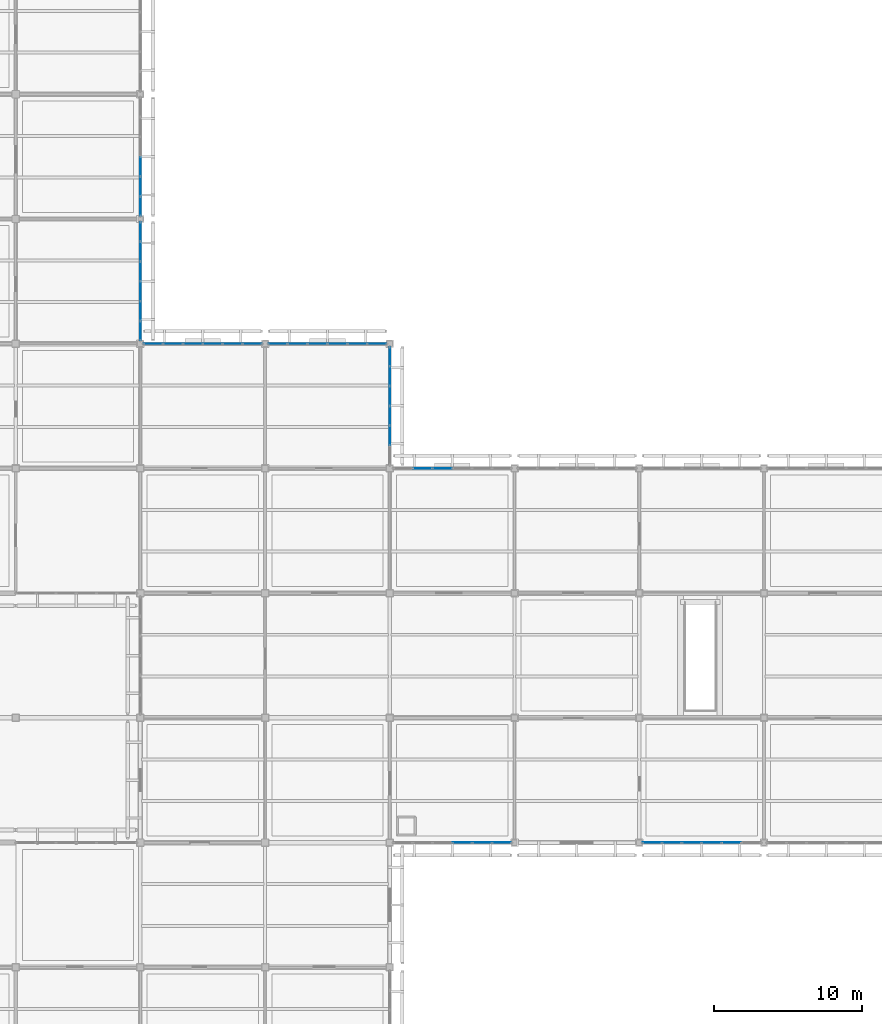
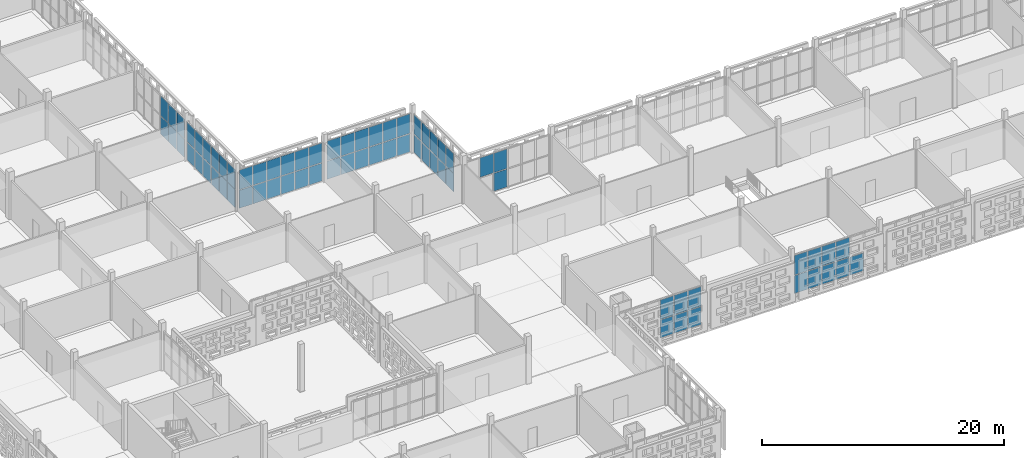
# One storey, part 90 of 203: 70 plates, 8 elements without a shape of their own.
"""IFC4 building model written with IfcOpenShell, lengths in metres."""

from ifc_helpers import new_model, si_unit, direction, frame, origin, origin_2d, place, context, subcontext, project, spatial, rectangle, extrude, material, layer, layer_set, type_object, element, aggregate, save


model = new_model("IFC4")

# Units and contexts
model_context = context("Model", 3, precision=1e-05, world=origin(), true_north=direction((0.0, 1.0)))
body_context = subcontext(model_context, "Body", "Model", "MODEL_VIEW")
ifc_project = project(units=[si_unit("LENGTHUNIT", "METRE"), si_unit("AREAUNIT", "SQUARE_METRE"), si_unit("VOLUMEUNIT", "CUBIC_METRE"), si_unit("PLANEANGLEUNIT", "RADIAN"), si_unit("MASSUNIT", "GRAM", prefix="KILO")], contexts=[model_context])

# Site, building, storey
site_placement = place(None, origin())
site = spatial("IfcSite", under=ifc_project, at=site_placement, CompositionType="ELEMENT")
building_placement = place(site_placement, origin())
building = spatial("IfcBuilding", under=site, at=building_placement, Name="Varnapada Polytechnic", CompositionType="ELEMENT")
storey_placement = place(building_placement, frame((0.0, 0.0, 4.800048828125)))
storey = spatial("IfcBuildingStorey", under=building, at=storey_placement, Name="L01", CompositionType="ELEMENT", Elevation=4.800048828125)

# Curtain wall, plates
ifc_material = material(Name="Double low-E laminated glass", Category="glass")
ifc_layer_1 = layer(ifc_material, 0.159912109375)
ifc_layer_set_1 = layer_set([ifc_layer_1], Name="Double low-E laminated glass")
curtain_wall_type_1 = type_object("IfcCurtainWallType", Name="Curtain Wall CW-01", PredefinedType="NOTDEFINED", material=ifc_layer_set_1)
curtain_wall_1_placement = place(storey_placement, origin())
curtain_wall_1 = element("IfcCurtainWall", 1, at=curtain_wall_1_placement, inside=storey, type_object=curtain_wall_type_1, Name="L01 unitised curtain wall CW-01 (37)", PredefinedType="NOTDEFINED")
ifc_layer_2 = layer(ifc_material, 0.028076171875)
ifc_layer_set_2 = layer_set([ifc_layer_2], Name="Double low-E laminated glass")
plate_type_1 = type_object("IfcPlateType", Name="Curtain Panel PNL-01", PredefinedType="CURTAIN_PANEL", material=ifc_layer_set_2)
plate_1_placement = place(storey_placement, frame((42.0, 57.944091796875, 0.06005859375), z_axis=(0.0, 0.0, 1.0), x_axis=(0.0, -1.0, 0.0)))
plate_1 = element("IfcPlate", 2, at=plate_1_placement, type_object=plate_type_1, Name="CW-01 panel 1.1", PredefinedType="CURTAIN_PANEL", context=body_context, shape_type="SweptSolid", body=[
    extrude(rectangle(XDim=1.251708984375, YDim=0.028076171875, at=origin_2d()), origin(), (0.0, 0.0, 1.0), 1.810791015625),
])
plate_2_placement = place(storey_placement, frame((42.0, 57.944091796875, 1.9306640625), z_axis=(0.0, 0.0, 1.0), x_axis=(0.0, -1.0, 0.0)))
plate_2 = element("IfcPlate", 3, at=plate_2_placement, type_object=plate_type_1, Name="CW-01 panel 1.2", PredefinedType="CURTAIN_PANEL", context=body_context, shape_type="SweptSolid", body=[
    extrude(rectangle(XDim=1.251708984375, YDim=0.028076171875, at=origin_2d()), origin(), (0.0, 0.0, 1.0), 1.96923828125),
])
plate_3_placement = place(storey_placement, frame((42.0, 56.617431640625, 0.06005859375), z_axis=(0.0, 0.0, 1.0), x_axis=(0.0, -1.0, 0.0)))
plate_3 = element("IfcPlate", 4, at=plate_3_placement, type_object=plate_type_1, Name="CW-01 panel 2.1", PredefinedType="CURTAIN_PANEL", context=body_context, shape_type="SweptSolid", body=[
    extrude(rectangle(XDim=1.28173828125, YDim=0.028076171875, at=origin_2d()), origin(), (0.0, 0.0, 1.0), 1.810791015625),
])
plate_4_placement = place(storey_placement, frame((42.0, 56.617431640625, 1.9306640625), z_axis=(0.0, 0.0, 1.0), x_axis=(0.0, -1.0, 0.0)))
plate_4 = element("IfcPlate", 5, at=plate_4_placement, type_object=plate_type_1, Name="CW-01 panel 2.2", PredefinedType="CURTAIN_PANEL", context=body_context, shape_type="SweptSolid", body=[
    extrude(rectangle(XDim=1.28173828125, YDim=0.028076171875, at=origin_2d()), origin(), (0.0, 0.0, 1.0), 1.96923828125),
])
plate_5_placement = place(storey_placement, frame((42.0, 55.27587890625, 0.06005859375), z_axis=(0.0, 0.0, 1.0), x_axis=(0.0, -1.0, 0.0)))
plate_5 = element("IfcPlate", 6, at=plate_5_placement, type_object=plate_type_1, Name="CW-01 panel 3.1", PredefinedType="CURTAIN_PANEL", context=body_context, shape_type="SweptSolid", body=[
    extrude(rectangle(XDim=1.28173828125, YDim=0.028076171875, at=origin_2d()), origin(), (0.0, 0.0, 1.0), 1.810791015625),
])
plate_6_placement = place(storey_placement, frame((42.0, 55.27587890625, 1.9306640625), z_axis=(0.0, 0.0, 1.0), x_axis=(0.0, -1.0, 0.0)))
plate_6 = element("IfcPlate", 7, at=plate_6_placement, type_object=plate_type_1, Name="CW-01 panel 3.2", PredefinedType="CURTAIN_PANEL", context=body_context, shape_type="SweptSolid", body=[
    extrude(rectangle(XDim=1.28173828125, YDim=0.028076171875, at=origin_2d()), origin(), (0.0, 0.0, 1.0), 1.96923828125),
])
plate_7_placement = place(storey_placement, frame((42.0, 53.93408203125, 0.06005859375), z_axis=(0.0, 0.0, 1.0), x_axis=(0.0, -1.0, 0.0)))
plate_7 = element("IfcPlate", 8, at=plate_7_placement, type_object=plate_type_1, Name="CW-01 panel 4.1", PredefinedType="CURTAIN_PANEL", context=body_context, shape_type="SweptSolid", body=[
    extrude(rectangle(XDim=1.28173828125, YDim=0.028076171875, at=origin_2d()), origin(), (0.0, 0.0, 1.0), 1.810791015625),
])
plate_8_placement = place(storey_placement, frame((42.0, 53.93408203125, 1.9306640625), z_axis=(0.0, 0.0, 1.0), x_axis=(0.0, -1.0, 0.0)))
plate_8 = element("IfcPlate", 9, at=plate_8_placement, type_object=plate_type_1, Name="CW-01 panel 4.2", PredefinedType="CURTAIN_PANEL", context=body_context, shape_type="SweptSolid", body=[
    extrude(rectangle(XDim=1.28173828125, YDim=0.028076171875, at=origin_2d()), origin(), (0.0, 0.0, 1.0), 1.96923828125),
])
plate_9_placement = place(storey_placement, frame((42.0, 52.592529296875, 0.06005859375), z_axis=(0.0, 0.0, 1.0), x_axis=(0.0, -1.0, 0.0)))
plate_9 = element("IfcPlate", 10, at=plate_9_placement, type_object=plate_type_1, Name="CW-01 panel 5.1", PredefinedType="CURTAIN_PANEL", context=body_context, shape_type="SweptSolid", body=[
    extrude(rectangle(XDim=1.28173828125, YDim=0.028076171875, at=origin_2d()), origin(), (0.0, 0.0, 1.0), 1.810791015625),
])
plate_10_placement = place(storey_placement, frame((42.0, 52.592529296875, 1.9306640625), z_axis=(0.0, 0.0, 1.0), x_axis=(0.0, -1.0, 0.0)))
plate_10 = element("IfcPlate", 11, at=plate_10_placement, type_object=plate_type_1, Name="CW-01 panel 5.2", PredefinedType="CURTAIN_PANEL", context=body_context, shape_type="SweptSolid", body=[
    extrude(rectangle(XDim=1.28173828125, YDim=0.028076171875, at=origin_2d()), origin(), (0.0, 0.0, 1.0), 1.96923828125),
])
plate_11_placement = place(storey_placement, frame((42.0, 51.265869140625, 0.06005859375), z_axis=(0.0, 0.0, 1.0), x_axis=(0.0, -1.0, 0.0)))
plate_11 = element("IfcPlate", 12, at=plate_11_placement, type_object=plate_type_1, Name="CW-01 panel 6.1", PredefinedType="CURTAIN_PANEL", context=body_context, shape_type="SweptSolid", body=[
    extrude(rectangle(XDim=1.251708984375, YDim=0.028076171875, at=origin_2d()), origin(), (0.0, 0.0, 1.0), 1.810791015625),
])
plate_12_placement = place(storey_placement, frame((42.0, 51.265869140625, 1.9306640625), z_axis=(0.0, 0.0, 1.0), x_axis=(0.0, -1.0, 0.0)))
plate_12 = element("IfcPlate", 13, at=plate_12_placement, type_object=plate_type_1, Name="CW-01 panel 6.2", PredefinedType="CURTAIN_PANEL", context=body_context, shape_type="SweptSolid", body=[
    extrude(rectangle(XDim=1.251708984375, YDim=0.028076171875, at=origin_2d()), origin(), (0.0, 0.0, 1.0), 1.96923828125),
])
aggregate(curtain_wall_1, [plate_1, plate_2, plate_3, plate_4, plate_5, plate_6, plate_7, plate_8, plate_9, plate_10, plate_11, plate_12])

curtain_wall_2_placement = place(storey_placement, origin())
curtain_wall_2 = element("IfcCurtainWall", 14, at=curtain_wall_2_placement, inside=storey, type_object=curtain_wall_type_1, Name="L01 unitised curtain wall CW-01 (38)", PredefinedType="NOTDEFINED")
plate_13_placement = place(storey_placement, frame((42.0, 62.32421875, 0.06005859375), z_axis=(0.0, 0.0, 1.0), x_axis=(0.0, -1.0, 0.0)))
plate_13 = element("IfcPlate", 15, at=plate_13_placement, type_object=plate_type_1, Name="CW-01 panel 4.1", PredefinedType="CURTAIN_PANEL", context=body_context, shape_type="SweptSolid", body=[
    extrude(rectangle(XDim=1.28173828125, YDim=0.028076171875, at=origin_2d()), origin(), (0.0, 0.0, 1.0), 1.810791015625),
])
plate_14_placement = place(storey_placement, frame((42.0, 62.32421875, 1.9306640625), z_axis=(0.0, 0.0, 1.0), x_axis=(0.0, -1.0, 0.0)))
plate_14 = element("IfcPlate", 16, at=plate_14_placement, type_object=plate_type_1, Name="CW-01 panel 4.2", PredefinedType="CURTAIN_PANEL", context=body_context, shape_type="SweptSolid", body=[
    extrude(rectangle(XDim=1.28173828125, YDim=0.028076171875, at=origin_2d()), origin(), (0.0, 0.0, 1.0), 1.96923828125),
])
plate_15_placement = place(storey_placement, frame((42.0, 60.982421875, 0.06005859375), z_axis=(0.0, 0.0, 1.0), x_axis=(0.0, -1.0, 0.0)))
plate_15 = element("IfcPlate", 17, at=plate_15_placement, type_object=plate_type_1, Name="CW-01 panel 5.1", PredefinedType="CURTAIN_PANEL", context=body_context, shape_type="SweptSolid", body=[
    extrude(rectangle(XDim=1.28173828125, YDim=0.028076171875, at=origin_2d()), origin(), (0.0, 0.0, 1.0), 1.810791015625),
])
plate_16_placement = place(storey_placement, frame((42.0, 60.982421875, 1.9306640625), z_axis=(0.0, 0.0, 1.0), x_axis=(0.0, -1.0, 0.0)))
plate_16 = element("IfcPlate", 18, at=plate_16_placement, type_object=plate_type_1, Name="CW-01 panel 5.2", PredefinedType="CURTAIN_PANEL", context=body_context, shape_type="SweptSolid", body=[
    extrude(rectangle(XDim=1.28173828125, YDim=0.028076171875, at=origin_2d()), origin(), (0.0, 0.0, 1.0), 1.96923828125),
])
plate_17_placement = place(storey_placement, frame((42.0, 59.65576171875, 0.06005859375), z_axis=(0.0, 0.0, 1.0), x_axis=(0.0, -1.0, 0.0)))
plate_17 = element("IfcPlate", 19, at=plate_17_placement, type_object=plate_type_1, Name="CW-01 panel 6.1", PredefinedType="CURTAIN_PANEL", context=body_context, shape_type="SweptSolid", body=[
    extrude(rectangle(XDim=1.251708984375, YDim=0.028076171875, at=origin_2d()), origin(), (0.0, 0.0, 1.0), 1.810791015625),
])
plate_18_placement = place(storey_placement, frame((42.0, 59.65576171875, 1.9306640625), z_axis=(0.0, 0.0, 1.0), x_axis=(0.0, -1.0, 0.0)))
plate_18 = element("IfcPlate", 20, at=plate_18_placement, type_object=plate_type_1, Name="CW-01 panel 6.2", PredefinedType="CURTAIN_PANEL", context=body_context, shape_type="SweptSolid", body=[
    extrude(rectangle(XDim=1.251708984375, YDim=0.028076171875, at=origin_2d()), origin(), (0.0, 0.0, 1.0), 1.96923828125),
])
aggregate(curtain_wall_2, [plate_13, plate_14, plate_15, plate_16, plate_17, plate_18])

curtain_wall_3_placement = place(storey_placement, origin())
curtain_wall_3 = element("IfcCurtainWall", 21, at=curtain_wall_3_placement, inside=storey, type_object=curtain_wall_type_1, Name="L01 unitised curtain wall CW-01 (45)", PredefinedType="NOTDEFINED")
plate_19_placement = place(storey_placement, frame((42.864990234375, 50.39990234375, 0.06005859375), z_axis=(0.0, 0.0, 1.0), x_axis=(1.0, 0.0, 0.0)))
plate_19 = element("IfcPlate", 22, at=plate_19_placement, type_object=plate_type_1, Name="CW-01 panel 1.1", PredefinedType="CURTAIN_PANEL", context=body_context, shape_type="SweptSolid", body=[
    extrude(rectangle(XDim=1.25, YDim=0.028076171875, at=origin_2d()), origin(), (0.0, 0.0, 1.0), 1.810791015625),
])
plate_20_placement = place(storey_placement, frame((42.864990234375, 50.39990234375, 1.9306640625), z_axis=(0.0, 0.0, 1.0), x_axis=(1.0, 0.0, 0.0)))
plate_20 = element("IfcPlate", 23, at=plate_20_placement, type_object=plate_type_1, Name="CW-01 panel 1.2", PredefinedType="CURTAIN_PANEL", context=body_context, shape_type="SweptSolid", body=[
    extrude(rectangle(XDim=1.25, YDim=0.028076171875, at=origin_2d()), origin(), (0.0, 0.0, 1.0), 1.96923828125),
])
plate_21_placement = place(storey_placement, frame((44.18994140625, 50.39990234375, 0.06005859375), z_axis=(0.0, 0.0, 1.0), x_axis=(1.0, 0.0, 0.0)))
plate_21 = element("IfcPlate", 24, at=plate_21_placement, type_object=plate_type_1, Name="CW-01 panel 2.1", PredefinedType="CURTAIN_PANEL", context=body_context, shape_type="SweptSolid", body=[
    extrude(rectangle(XDim=1.280029296875, YDim=0.028076171875, at=origin_2d()), origin(), (0.0, 0.0, 1.0), 1.810791015625),
])
plate_22_placement = place(storey_placement, frame((44.18994140625, 50.39990234375, 1.9306640625), z_axis=(0.0, 0.0, 1.0), x_axis=(1.0, 0.0, 0.0)))
plate_22 = element("IfcPlate", 25, at=plate_22_placement, type_object=plate_type_1, Name="CW-01 panel 2.2", PredefinedType="CURTAIN_PANEL", context=body_context, shape_type="SweptSolid", body=[
    extrude(rectangle(XDim=1.280029296875, YDim=0.028076171875, at=origin_2d()), origin(), (0.0, 0.0, 1.0), 1.96923828125),
])
plate_23_placement = place(storey_placement, frame((45.530029296875, 50.39990234375, 0.06005859375), z_axis=(0.0, 0.0, 1.0), x_axis=(1.0, 0.0, 0.0)))
plate_23 = element("IfcPlate", 26, at=plate_23_placement, type_object=plate_type_1, Name="CW-01 panel 3.1", PredefinedType="CURTAIN_PANEL", context=body_context, shape_type="SweptSolid", body=[
    extrude(rectangle(XDim=1.280029296875, YDim=0.028076171875, at=origin_2d()), origin(), (0.0, 0.0, 1.0), 1.810791015625),
])
plate_24_placement = place(storey_placement, frame((45.530029296875, 50.39990234375, 1.9306640625), z_axis=(0.0, 0.0, 1.0), x_axis=(1.0, 0.0, 0.0)))
plate_24 = element("IfcPlate", 27, at=plate_24_placement, type_object=plate_type_1, Name="CW-01 panel 3.2", PredefinedType="CURTAIN_PANEL", context=body_context, shape_type="SweptSolid", body=[
    extrude(rectangle(XDim=1.280029296875, YDim=0.028076171875, at=origin_2d()), origin(), (0.0, 0.0, 1.0), 1.96923828125),
])
plate_25_placement = place(storey_placement, frame((46.8701171875, 50.39990234375, 0.06005859375), z_axis=(0.0, 0.0, 1.0), x_axis=(1.0, 0.0, 0.0)))
plate_25 = element("IfcPlate", 28, at=plate_25_placement, type_object=plate_type_1, Name="CW-01 panel 4.1", PredefinedType="CURTAIN_PANEL", context=body_context, shape_type="SweptSolid", body=[
    extrude(rectangle(XDim=1.280029296875, YDim=0.028076171875, at=origin_2d()), origin(), (0.0, 0.0, 1.0), 1.810791015625),
])
plate_26_placement = place(storey_placement, frame((46.8701171875, 50.39990234375, 1.9306640625), z_axis=(0.0, 0.0, 1.0), x_axis=(1.0, 0.0, 0.0)))
plate_26 = element("IfcPlate", 29, at=plate_26_placement, type_object=plate_type_1, Name="CW-01 panel 4.2", PredefinedType="CURTAIN_PANEL", context=body_context, shape_type="SweptSolid", body=[
    extrude(rectangle(XDim=1.280029296875, YDim=0.028076171875, at=origin_2d()), origin(), (0.0, 0.0, 1.0), 1.96923828125),
])
plate_27_placement = place(storey_placement, frame((48.2099609375, 50.39990234375, 0.06005859375), z_axis=(0.0, 0.0, 1.0), x_axis=(1.0, 0.0, 0.0)))
plate_27 = element("IfcPlate", 30, at=plate_27_placement, type_object=plate_type_1, Name="CW-01 panel 5.1", PredefinedType="CURTAIN_PANEL", context=body_context, shape_type="SweptSolid", body=[
    extrude(rectangle(XDim=1.280029296875, YDim=0.028076171875, at=origin_2d()), origin(), (0.0, 0.0, 1.0), 1.810791015625),
])
plate_28_placement = place(storey_placement, frame((48.2099609375, 50.39990234375, 1.9306640625), z_axis=(0.0, 0.0, 1.0), x_axis=(1.0, 0.0, 0.0)))
plate_28 = element("IfcPlate", 31, at=plate_28_placement, type_object=plate_type_1, Name="CW-01 panel 5.2", PredefinedType="CURTAIN_PANEL", context=body_context, shape_type="SweptSolid", body=[
    extrude(rectangle(XDim=1.280029296875, YDim=0.028076171875, at=origin_2d()), origin(), (0.0, 0.0, 1.0), 1.96923828125),
])
plate_29_placement = place(storey_placement, frame((49.534912109375, 50.39990234375, 0.06005859375), z_axis=(0.0, 0.0, 1.0), x_axis=(1.0, 0.0, 0.0)))
plate_29 = element("IfcPlate", 32, at=plate_29_placement, type_object=plate_type_1, Name="CW-01 panel 6.1", PredefinedType="CURTAIN_PANEL", context=body_context, shape_type="SweptSolid", body=[
    extrude(rectangle(XDim=1.25, YDim=0.028076171875, at=origin_2d()), origin(), (0.0, 0.0, 1.0), 1.810791015625),
])
plate_30_placement = place(storey_placement, frame((49.534912109375, 50.39990234375, 1.9306640625), z_axis=(0.0, 0.0, 1.0), x_axis=(1.0, 0.0, 0.0)))
plate_30 = element("IfcPlate", 33, at=plate_30_placement, type_object=plate_type_1, Name="CW-01 panel 6.2", PredefinedType="CURTAIN_PANEL", context=body_context, shape_type="SweptSolid", body=[
    extrude(rectangle(XDim=1.25, YDim=0.028076171875, at=origin_2d()), origin(), (0.0, 0.0, 1.0), 1.96923828125),
])
aggregate(curtain_wall_3, [plate_19, plate_20, plate_21, plate_22, plate_23, plate_24, plate_25, plate_26, plate_27, plate_28, plate_29, plate_30])

curtain_wall_4_placement = place(storey_placement, origin())
curtain_wall_4 = element("IfcCurtainWall", 34, at=curtain_wall_4_placement, inside=storey, type_object=curtain_wall_type_1, Name="L01 unitised curtain wall CW-01 (50)", PredefinedType="NOTDEFINED")
plate_31_placement = place(storey_placement, frame((51.264892578125, 50.39990234375, 0.06005859375), z_axis=(0.0, 0.0, 1.0), x_axis=(1.0, 0.0, 0.0)))
plate_31 = element("IfcPlate", 35, at=plate_31_placement, type_object=plate_type_1, Name="CW-01 panel 1.1", PredefinedType="CURTAIN_PANEL", context=body_context, shape_type="SweptSolid", body=[
    extrude(rectangle(XDim=1.25, YDim=0.028076171875, at=origin_2d()), origin(), (0.0, 0.0, 1.0), 1.810791015625),
])
plate_32_placement = place(storey_placement, frame((51.264892578125, 50.39990234375, 1.9306640625), z_axis=(0.0, 0.0, 1.0), x_axis=(1.0, 0.0, 0.0)))
plate_32 = element("IfcPlate", 36, at=plate_32_placement, type_object=plate_type_1, Name="CW-01 panel 1.2", PredefinedType="CURTAIN_PANEL", context=body_context, shape_type="SweptSolid", body=[
    extrude(rectangle(XDim=1.25, YDim=0.028076171875, at=origin_2d()), origin(), (0.0, 0.0, 1.0), 1.96923828125),
])
plate_33_placement = place(storey_placement, frame((52.590087890625, 50.39990234375, 0.06005859375), z_axis=(0.0, 0.0, 1.0), x_axis=(1.0, 0.0, 0.0)))
plate_33 = element("IfcPlate", 37, at=plate_33_placement, type_object=plate_type_1, Name="CW-01 panel 2.1", PredefinedType="CURTAIN_PANEL", context=body_context, shape_type="SweptSolid", body=[
    extrude(rectangle(XDim=1.280029296875, YDim=0.028076171875, at=origin_2d()), origin(), (0.0, 0.0, 1.0), 1.810791015625),
])
plate_34_placement = place(storey_placement, frame((52.590087890625, 50.39990234375, 1.9306640625), z_axis=(0.0, 0.0, 1.0), x_axis=(1.0, 0.0, 0.0)))
plate_34 = element("IfcPlate", 38, at=plate_34_placement, type_object=plate_type_1, Name="CW-01 panel 2.2", PredefinedType="CURTAIN_PANEL", context=body_context, shape_type="SweptSolid", body=[
    extrude(rectangle(XDim=1.280029296875, YDim=0.028076171875, at=origin_2d()), origin(), (0.0, 0.0, 1.0), 1.96923828125),
])
plate_35_placement = place(storey_placement, frame((53.929931640625, 50.39990234375, 0.06005859375), z_axis=(0.0, 0.0, 1.0), x_axis=(1.0, 0.0, 0.0)))
plate_35 = element("IfcPlate", 39, at=plate_35_placement, type_object=plate_type_1, Name="CW-01 panel 3.1", PredefinedType="CURTAIN_PANEL", context=body_context, shape_type="SweptSolid", body=[
    extrude(rectangle(XDim=1.280029296875, YDim=0.028076171875, at=origin_2d()), origin(), (0.0, 0.0, 1.0), 1.810791015625),
])
plate_36_placement = place(storey_placement, frame((53.929931640625, 50.39990234375, 1.9306640625), z_axis=(0.0, 0.0, 1.0), x_axis=(1.0, 0.0, 0.0)))
plate_36 = element("IfcPlate", 40, at=plate_36_placement, type_object=plate_type_1, Name="CW-01 panel 3.2", PredefinedType="CURTAIN_PANEL", context=body_context, shape_type="SweptSolid", body=[
    extrude(rectangle(XDim=1.280029296875, YDim=0.028076171875, at=origin_2d()), origin(), (0.0, 0.0, 1.0), 1.96923828125),
])
plate_37_placement = place(storey_placement, frame((55.27001953125, 50.39990234375, 0.06005859375), z_axis=(0.0, 0.0, 1.0), x_axis=(1.0, 0.0, 0.0)))
plate_37 = element("IfcPlate", 41, at=plate_37_placement, type_object=plate_type_1, Name="CW-01 panel 4.1", PredefinedType="CURTAIN_PANEL", context=body_context, shape_type="SweptSolid", body=[
    extrude(rectangle(XDim=1.280029296875, YDim=0.028076171875, at=origin_2d()), origin(), (0.0, 0.0, 1.0), 1.810791015625),
])
plate_38_placement = place(storey_placement, frame((55.27001953125, 50.39990234375, 1.9306640625), z_axis=(0.0, 0.0, 1.0), x_axis=(1.0, 0.0, 0.0)))
plate_38 = element("IfcPlate", 42, at=plate_38_placement, type_object=plate_type_1, Name="CW-01 panel 4.2", PredefinedType="CURTAIN_PANEL", context=body_context, shape_type="SweptSolid", body=[
    extrude(rectangle(XDim=1.280029296875, YDim=0.028076171875, at=origin_2d()), origin(), (0.0, 0.0, 1.0), 1.96923828125),
])
plate_39_placement = place(storey_placement, frame((56.610107421875, 50.39990234375, 0.06005859375), z_axis=(0.0, 0.0, 1.0), x_axis=(1.0, 0.0, 0.0)))
plate_39 = element("IfcPlate", 43, at=plate_39_placement, type_object=plate_type_1, Name="CW-01 panel 5.1", PredefinedType="CURTAIN_PANEL", context=body_context, shape_type="SweptSolid", body=[
    extrude(rectangle(XDim=1.280029296875, YDim=0.028076171875, at=origin_2d()), origin(), (0.0, 0.0, 1.0), 1.810791015625),
])
plate_40_placement = place(storey_placement, frame((56.610107421875, 50.39990234375, 1.9306640625), z_axis=(0.0, 0.0, 1.0), x_axis=(1.0, 0.0, 0.0)))
plate_40 = element("IfcPlate", 44, at=plate_40_placement, type_object=plate_type_1, Name="CW-01 panel 5.2", PredefinedType="CURTAIN_PANEL", context=body_context, shape_type="SweptSolid", body=[
    extrude(rectangle(XDim=1.280029296875, YDim=0.028076171875, at=origin_2d()), origin(), (0.0, 0.0, 1.0), 1.96923828125),
])
plate_41_placement = place(storey_placement, frame((57.93505859375, 50.39990234375, 0.06005859375), z_axis=(0.0, 0.0, 1.0), x_axis=(1.0, 0.0, 0.0)))
plate_41 = element("IfcPlate", 45, at=plate_41_placement, type_object=plate_type_1, Name="CW-01 panel 6.1", PredefinedType="CURTAIN_PANEL", context=body_context, shape_type="SweptSolid", body=[
    extrude(rectangle(XDim=1.25, YDim=0.028076171875, at=origin_2d()), origin(), (0.0, 0.0, 1.0), 1.810791015625),
])
plate_42_placement = place(storey_placement, frame((57.93505859375, 50.39990234375, 1.9306640625), z_axis=(0.0, 0.0, 1.0), x_axis=(1.0, 0.0, 0.0)))
plate_42 = element("IfcPlate", 46, at=plate_42_placement, type_object=plate_type_1, Name="CW-01 panel 6.2", PredefinedType="CURTAIN_PANEL", context=body_context, shape_type="SweptSolid", body=[
    extrude(rectangle(XDim=1.25, YDim=0.028076171875, at=origin_2d()), origin(), (0.0, 0.0, 1.0), 1.96923828125),
])
aggregate(curtain_wall_4, [plate_31, plate_32, plate_33, plate_34, plate_35, plate_36, plate_37, plate_38, plate_39, plate_40, plate_41, plate_42])

curtain_wall_5_placement = place(storey_placement, origin())
curtain_wall_5 = element("IfcCurtainWall", 47, at=curtain_wall_5_placement, inside=storey, type_object=curtain_wall_type_1, Name="L01 unitised curtain wall CW-01 (51)", PredefinedType="NOTDEFINED")
plate_43_placement = place(storey_placement, frame((58.800048828125, 49.53759765625, 0.06005859375), z_axis=(0.0, 0.0, 1.0), x_axis=(0.0, -1.0, 0.0)))
plate_43 = element("IfcPlate", 48, at=plate_43_placement, type_object=plate_type_1, Name="CW-01 panel 1.1", PredefinedType="CURTAIN_PANEL", context=body_context, shape_type="SweptSolid", body=[
    extrude(rectangle(XDim=1.2451171875, YDim=0.028076171875, at=origin_2d()), origin(), (0.0, 0.0, 1.0), 1.810791015625),
])
plate_44_placement = place(storey_placement, frame((58.800048828125, 49.53759765625, 1.9306640625), z_axis=(0.0, 0.0, 1.0), x_axis=(0.0, -1.0, 0.0)))
plate_44 = element("IfcPlate", 49, at=plate_44_placement, type_object=plate_type_1, Name="CW-01 panel 1.2", PredefinedType="CURTAIN_PANEL", context=body_context, shape_type="SweptSolid", body=[
    extrude(rectangle(XDim=1.2451171875, YDim=0.028076171875, at=origin_2d()), origin(), (0.0, 0.0, 1.0), 1.96923828125),
])
plate_45_placement = place(storey_placement, frame((58.800048828125, 48.217529296875, 0.06005859375), z_axis=(0.0, 0.0, 1.0), x_axis=(0.0, -1.0, 0.0)))
plate_45 = element("IfcPlate", 50, at=plate_45_placement, type_object=plate_type_1, Name="CW-01 panel 2.1", PredefinedType="CURTAIN_PANEL", context=body_context, shape_type="SweptSolid", body=[
    extrude(rectangle(XDim=1.27490234375, YDim=0.028076171875, at=origin_2d()), origin(), (0.0, 0.0, 1.0), 1.810791015625),
])
plate_46_placement = place(storey_placement, frame((58.800048828125, 48.217529296875, 1.9306640625), z_axis=(0.0, 0.0, 1.0), x_axis=(0.0, -1.0, 0.0)))
plate_46 = element("IfcPlate", 51, at=plate_46_placement, type_object=plate_type_1, Name="CW-01 panel 2.2", PredefinedType="CURTAIN_PANEL", context=body_context, shape_type="SweptSolid", body=[
    extrude(rectangle(XDim=1.27490234375, YDim=0.028076171875, at=origin_2d()), origin(), (0.0, 0.0, 1.0), 1.96923828125),
])
plate_47_placement = place(storey_placement, frame((58.800048828125, 46.882568359375, 0.06005859375), z_axis=(0.0, 0.0, 1.0), x_axis=(0.0, -1.0, 0.0)))
plate_47 = element("IfcPlate", 52, at=plate_47_placement, type_object=plate_type_1, Name="CW-01 panel 3.1", PredefinedType="CURTAIN_PANEL", context=body_context, shape_type="SweptSolid", body=[
    extrude(rectangle(XDim=1.27490234375, YDim=0.028076171875, at=origin_2d()), origin(), (0.0, 0.0, 1.0), 1.810791015625),
])
plate_48_placement = place(storey_placement, frame((58.800048828125, 46.882568359375, 1.9306640625), z_axis=(0.0, 0.0, 1.0), x_axis=(0.0, -1.0, 0.0)))
plate_48 = element("IfcPlate", 53, at=plate_48_placement, type_object=plate_type_1, Name="CW-01 panel 3.2", PredefinedType="CURTAIN_PANEL", context=body_context, shape_type="SweptSolid", body=[
    extrude(rectangle(XDim=1.27490234375, YDim=0.028076171875, at=origin_2d()), origin(), (0.0, 0.0, 1.0), 1.96923828125),
])
plate_49_placement = place(storey_placement, frame((58.800048828125, 45.547607421875, 0.06005859375), z_axis=(0.0, 0.0, 1.0), x_axis=(0.0, -1.0, 0.0)))
plate_49 = element("IfcPlate", 54, at=plate_49_placement, type_object=plate_type_1, Name="CW-01 panel 4.1", PredefinedType="CURTAIN_PANEL", context=body_context, shape_type="SweptSolid", body=[
    extrude(rectangle(XDim=1.27490234375, YDim=0.028076171875, at=origin_2d()), origin(), (0.0, 0.0, 1.0), 1.810791015625),
])
plate_50_placement = place(storey_placement, frame((58.800048828125, 45.547607421875, 1.9306640625), z_axis=(0.0, 0.0, 1.0), x_axis=(0.0, -1.0, 0.0)))
plate_50 = element("IfcPlate", 55, at=plate_50_placement, type_object=plate_type_1, Name="CW-01 panel 4.2", PredefinedType="CURTAIN_PANEL", context=body_context, shape_type="SweptSolid", body=[
    extrude(rectangle(XDim=1.27490234375, YDim=0.028076171875, at=origin_2d()), origin(), (0.0, 0.0, 1.0), 1.96923828125),
])
plate_51_placement = place(storey_placement, frame((58.800048828125, 44.21240234375, 0.06005859375), z_axis=(0.0, 0.0, 1.0), x_axis=(0.0, -1.0, 0.0)))
plate_51 = element("IfcPlate", 56, at=plate_51_placement, type_object=plate_type_1, Name="CW-01 panel 5.1", PredefinedType="CURTAIN_PANEL", context=body_context, shape_type="SweptSolid", body=[
    extrude(rectangle(XDim=1.27490234375, YDim=0.028076171875, at=origin_2d()), origin(), (0.0, 0.0, 1.0), 1.810791015625),
])
plate_52_placement = place(storey_placement, frame((58.800048828125, 44.21240234375, 1.9306640625), z_axis=(0.0, 0.0, 1.0), x_axis=(0.0, -1.0, 0.0)))
plate_52 = element("IfcPlate", 57, at=plate_52_placement, type_object=plate_type_1, Name="CW-01 panel 5.2", PredefinedType="CURTAIN_PANEL", context=body_context, shape_type="SweptSolid", body=[
    extrude(rectangle(XDim=1.27490234375, YDim=0.028076171875, at=origin_2d()), origin(), (0.0, 0.0, 1.0), 1.96923828125),
])
aggregate(curtain_wall_5, [plate_43, plate_44, plate_45, plate_46, plate_47, plate_48, plate_49, plate_50, plate_51, plate_52])

curtain_wall_6_placement = place(storey_placement, origin())
curtain_wall_6 = element("IfcCurtainWall", 58, at=curtain_wall_6_placement, inside=storey, type_object=curtain_wall_type_1, Name="L01 unitised curtain wall CW-01 (56)", PredefinedType="NOTDEFINED")
plate_53_placement = place(storey_placement, frame((61.010009765625, 42.0, 1.9306640625), z_axis=(0.0, 0.0, 1.0), x_axis=(1.0, 0.0, 0.0)))
plate_53 = element("IfcPlate", 59, at=plate_53_placement, type_object=plate_type_1, Name="CW-01 panel 2.2", PredefinedType="CURTAIN_PANEL", context=body_context, shape_type="SweptSolid", body=[
    extrude(rectangle(XDim=1.2734375, YDim=0.028076171875, at=origin_2d()), origin(), (0.0, 0.0, 1.0), 1.96923828125),
])
plate_54_placement = place(storey_placement, frame((62.34326171875, 42.0, 0.06005859375), z_axis=(0.0, 0.0, 1.0), x_axis=(1.0, 0.0, 0.0)))
plate_54 = element("IfcPlate", 60, at=plate_54_placement, type_object=plate_type_1, Name="CW-01 panel 3.1", PredefinedType="CURTAIN_PANEL", context=body_context, shape_type="SweptSolid", body=[
    extrude(rectangle(XDim=1.2734375, YDim=0.028076171875, at=origin_2d()), origin(), (0.0, 0.0, 1.0), 1.810791015625),
])
plate_55_placement = place(storey_placement, frame((62.34326171875, 42.0, 1.9306640625), z_axis=(0.0, 0.0, 1.0), x_axis=(1.0, 0.0, 0.0)))
plate_55 = element("IfcPlate", 61, at=plate_55_placement, type_object=plate_type_1, Name="CW-01 panel 3.2", PredefinedType="CURTAIN_PANEL", context=body_context, shape_type="SweptSolid", body=[
    extrude(rectangle(XDim=1.2734375, YDim=0.028076171875, at=origin_2d()), origin(), (0.0, 0.0, 1.0), 1.96923828125),
])
aggregate(curtain_wall_6, [plate_53, plate_54, plate_55])

ifc_layer_3 = layer(ifc_material, 0.179931640625)
ifc_layer_set_3 = layer_set([ifc_layer_3], Name="Double low-E laminated glass")
curtain_wall_type_2 = type_object("IfcCurtainWallType", Name="Curtain Wall CW-04", PredefinedType="NOTDEFINED", material=ifc_layer_set_3)
curtain_wall_7_placement = place(storey_placement, origin())
curtain_wall_7 = element("IfcCurtainWall", 62, at=curtain_wall_7_placement, inside=storey, type_object=curtain_wall_type_2, Name="L01 unitised curtain wall CW-04 (55)", PredefinedType="NOTDEFINED")
ifc_layer_4 = layer(ifc_material, 0.031982421875)
ifc_layer_set_4 = layer_set([ifc_layer_4], Name="Double low-E laminated glass")
plate_type_2 = type_object("IfcPlateType", Name="Curtain Panel PNL-02", PredefinedType="CURTAIN_PANEL", material=ifc_layer_set_4)
plate_56_placement = place(storey_placement, frame((66.336181640625, 16.800048828125, 0.06494140625), z_axis=(0.0, 0.0, 1.0), x_axis=(-1.0, 0.0, 0.0)))
plate_56 = element("IfcPlate", 63, at=plate_56_placement, type_object=plate_type_2, Name="CW-04 panel 1.1", PredefinedType="CURTAIN_PANEL", context=body_context, shape_type="SweptSolid", body=[
    extrude(rectangle(XDim=1.237548828125, YDim=0.031982421875, at=origin_2d()), origin(), (0.0, 0.0, 1.0), 1.80322265625),
])
plate_57_placement = place(storey_placement, frame((66.336181640625, 16.800048828125, 1.93310546875), z_axis=(0.0, 0.0, 1.0), x_axis=(-1.0, 0.0, 0.0)))
plate_57 = element("IfcPlate", 64, at=plate_57_placement, type_object=plate_type_2, Name="CW-04 panel 1.2", PredefinedType="CURTAIN_PANEL", context=body_context, shape_type="SweptSolid", body=[
    extrude(rectangle(XDim=1.237548828125, YDim=0.031982421875, at=origin_2d()), origin(), (0.0, 0.0, 1.0), 1.961669921875),
])
plate_58_placement = place(storey_placement, frame((65.017578125, 16.800048828125, 0.06494140625), z_axis=(0.0, 0.0, 1.0), x_axis=(-1.0, 0.0, 0.0)))
plate_58 = element("IfcPlate", 65, at=plate_58_placement, type_object=plate_type_2, Name="CW-04 panel 2.1", PredefinedType="CURTAIN_PANEL", context=body_context, shape_type="SweptSolid", body=[
    extrude(rectangle(XDim=1.27001953125, YDim=0.031982421875, at=origin_2d()), origin(), (0.0, 0.0, 1.0), 1.80322265625),
])
plate_59_placement = place(storey_placement, frame((65.017578125, 16.800048828125, 1.93310546875), z_axis=(0.0, 0.0, 1.0), x_axis=(-1.0, 0.0, 0.0)))
plate_59 = element("IfcPlate", 66, at=plate_59_placement, type_object=plate_type_2, Name="CW-04 panel 2.2", PredefinedType="CURTAIN_PANEL", context=body_context, shape_type="SweptSolid", body=[
    extrude(rectangle(XDim=1.27001953125, YDim=0.031982421875, at=origin_2d()), origin(), (0.0, 0.0, 1.0), 1.961669921875),
])
plate_60_placement = place(storey_placement, frame((63.6826171875, 16.800048828125, 0.06494140625), z_axis=(0.0, 0.0, 1.0), x_axis=(-1.0, 0.0, 0.0)))
plate_60 = element("IfcPlate", 67, at=plate_60_placement, type_object=plate_type_2, Name="CW-04 panel 3.1", PredefinedType="CURTAIN_PANEL", context=body_context, shape_type="SweptSolid", body=[
    extrude(rectangle(XDim=1.27001953125, YDim=0.031982421875, at=origin_2d()), origin(), (0.0, 0.0, 1.0), 1.80322265625),
])
plate_61_placement = place(storey_placement, frame((63.6826171875, 16.800048828125, 1.93310546875), z_axis=(0.0, 0.0, 1.0), x_axis=(-1.0, 0.0, 0.0)))
plate_61 = element("IfcPlate", 68, at=plate_61_placement, type_object=plate_type_2, Name="CW-04 panel 3.2", PredefinedType="CURTAIN_PANEL", context=body_context, shape_type="SweptSolid", body=[
    extrude(rectangle(XDim=1.27001953125, YDim=0.031982421875, at=origin_2d()), origin(), (0.0, 0.0, 1.0), 1.961669921875),
])
aggregate(curtain_wall_7, [plate_56, plate_57, plate_58, plate_59, plate_60, plate_61])

curtain_wall_8_placement = place(storey_placement, origin())
curtain_wall_8 = element("IfcCurtainWall", 69, at=curtain_wall_8_placement, inside=storey, type_object=curtain_wall_type_2, Name="L01 unitised curtain wall CW-04 (64)", PredefinedType="NOTDEFINED")
plate_62_placement = place(storey_placement, frame((81.81005859375, 16.800048828125, 0.06494140625), z_axis=(0.0, 0.0, 1.0), x_axis=(-1.0, 0.0, 0.0)))
plate_62 = element("IfcPlate", 70, at=plate_62_placement, type_object=plate_type_2, Name="CW-04 panel 2.1", PredefinedType="CURTAIN_PANEL", context=body_context, shape_type="SweptSolid", body=[
    extrude(rectangle(XDim=1.27490234375, YDim=0.031982421875, at=origin_2d()), origin(), (0.0, 0.0, 1.0), 1.80322265625),
])
plate_63_placement = place(storey_placement, frame((80.469970703125, 16.800048828125, 0.06494140625), z_axis=(0.0, 0.0, 1.0), x_axis=(-1.0, 0.0, 0.0)))
plate_63 = element("IfcPlate", 71, at=plate_63_placement, type_object=plate_type_2, Name="CW-04 panel 3.1", PredefinedType="CURTAIN_PANEL", context=body_context, shape_type="SweptSolid", body=[
    extrude(rectangle(XDim=1.27490234375, YDim=0.031982421875, at=origin_2d()), origin(), (0.0, 0.0, 1.0), 1.80322265625),
])
plate_64_placement = place(storey_placement, frame((80.469970703125, 16.800048828125, 1.93310546875), z_axis=(0.0, 0.0, 1.0), x_axis=(-1.0, 0.0, 0.0)))
plate_64 = element("IfcPlate", 72, at=plate_64_placement, type_object=plate_type_2, Name="CW-04 panel 3.2", PredefinedType="CURTAIN_PANEL", context=body_context, shape_type="SweptSolid", body=[
    extrude(rectangle(XDim=1.27490234375, YDim=0.031982421875, at=origin_2d()), origin(), (0.0, 0.0, 1.0), 1.961669921875),
])
plate_65_placement = place(storey_placement, frame((79.1298828125, 16.800048828125, 0.06494140625), z_axis=(0.0, 0.0, 1.0), x_axis=(-1.0, 0.0, 0.0)))
plate_65 = element("IfcPlate", 73, at=plate_65_placement, type_object=plate_type_2, Name="CW-04 panel 4.1", PredefinedType="CURTAIN_PANEL", context=body_context, shape_type="SweptSolid", body=[
    extrude(rectangle(XDim=1.27490234375, YDim=0.031982421875, at=origin_2d()), origin(), (0.0, 0.0, 1.0), 1.80322265625),
])
plate_66_placement = place(storey_placement, frame((79.1298828125, 16.800048828125, 1.93310546875), z_axis=(0.0, 0.0, 1.0), x_axis=(-1.0, 0.0, 0.0)))
plate_66 = element("IfcPlate", 74, at=plate_66_placement, type_object=plate_type_2, Name="CW-04 panel 4.2", PredefinedType="CURTAIN_PANEL", context=body_context, shape_type="SweptSolid", body=[
    extrude(rectangle(XDim=1.27490234375, YDim=0.031982421875, at=origin_2d()), origin(), (0.0, 0.0, 1.0), 1.961669921875),
])
plate_67_placement = place(storey_placement, frame((77.7900390625, 16.800048828125, 0.06494140625), z_axis=(0.0, 0.0, 1.0), x_axis=(-1.0, 0.0, 0.0)))
plate_67 = element("IfcPlate", 75, at=plate_67_placement, type_object=plate_type_2, Name="CW-04 panel 5.1", PredefinedType="CURTAIN_PANEL", context=body_context, shape_type="SweptSolid", body=[
    extrude(rectangle(XDim=1.27490234375, YDim=0.031982421875, at=origin_2d()), origin(), (0.0, 0.0, 1.0), 1.80322265625),
])
plate_68_placement = place(storey_placement, frame((77.7900390625, 16.800048828125, 1.93310546875), z_axis=(0.0, 0.0, 1.0), x_axis=(-1.0, 0.0, 0.0)))
plate_68 = element("IfcPlate", 76, at=plate_68_placement, type_object=plate_type_2, Name="CW-04 panel 5.2", PredefinedType="CURTAIN_PANEL", context=body_context, shape_type="SweptSolid", body=[
    extrude(rectangle(XDim=1.27490234375, YDim=0.031982421875, at=origin_2d()), origin(), (0.0, 0.0, 1.0), 1.961669921875),
])
plate_69_placement = place(storey_placement, frame((76.46630859375, 16.800048828125, 0.06494140625), z_axis=(0.0, 0.0, 1.0), x_axis=(-1.0, 0.0, 0.0)))
plate_69 = element("IfcPlate", 77, at=plate_69_placement, type_object=plate_type_2, Name="CW-04 panel 6.1", PredefinedType="CURTAIN_PANEL", context=body_context, shape_type="SweptSolid", body=[
    extrude(rectangle(XDim=1.242431640625, YDim=0.031982421875, at=origin_2d()), origin(), (0.0, 0.0, 1.0), 1.80322265625),
])
plate_70_placement = place(storey_placement, frame((76.46630859375, 16.800048828125, 1.93310546875), z_axis=(0.0, 0.0, 1.0), x_axis=(-1.0, 0.0, 0.0)))
plate_70 = element("IfcPlate", 78, at=plate_70_placement, type_object=plate_type_2, Name="CW-04 panel 6.2", PredefinedType="CURTAIN_PANEL", context=body_context, shape_type="SweptSolid", body=[
    extrude(rectangle(XDim=1.242431640625, YDim=0.031982421875, at=origin_2d()), origin(), (0.0, 0.0, 1.0), 1.961669921875),
])
aggregate(curtain_wall_8, [plate_62, plate_63, plate_64, plate_65, plate_66, plate_67, plate_68, plate_69, plate_70])

save(model, "model.ifc")
